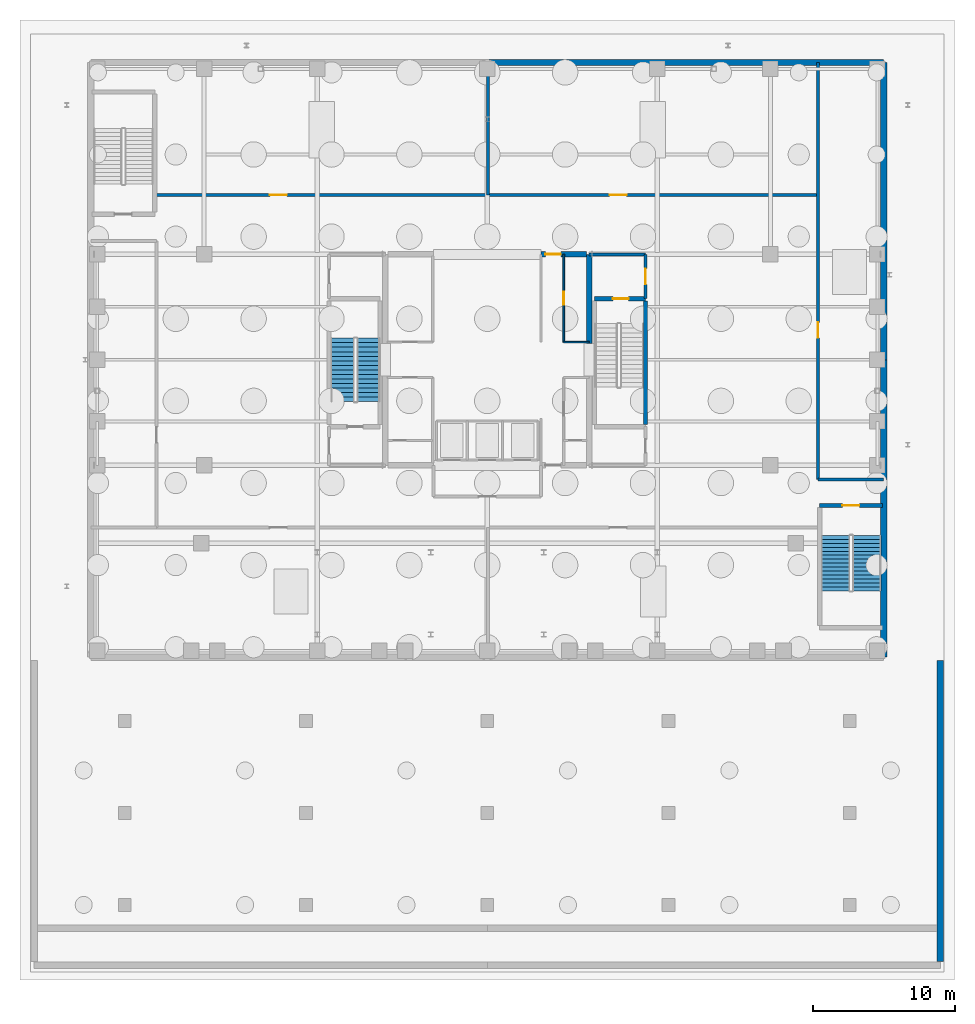
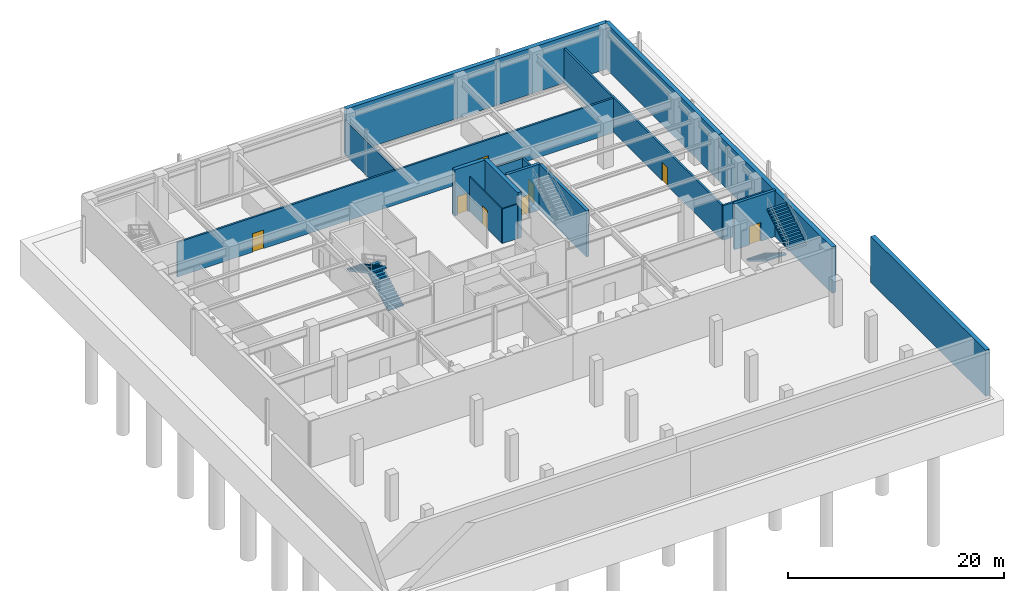
# One storey, part 13 of 18: 17 walls, 8 doors, 4 stair flights, 8 openings, 2 elements without a shape of their own.
"""IFC4 building model written with IfcOpenShell, lengths in metres."""

from ifc_helpers import new_model, si_unit, direction, frame, frame_2d, origin, place, context, subcontext, project, spatial, polyline, rectangle, outline, extrude, material, layer, layer_set, type_object, element, fill, aggregate, save


model = new_model("IFC4")

# Units and contexts
model_context = context("Model", 3, precision=1e-05, world=origin(), true_north=direction((0.0, 1.0)))
body_context = subcontext(model_context, "Body", "Model", "MODEL_VIEW")
ifc_project = project(units=[si_unit("LENGTHUNIT", "METRE"), si_unit("AREAUNIT", "SQUARE_METRE"), si_unit("VOLUMEUNIT", "CUBIC_METRE"), si_unit("PLANEANGLEUNIT", "RADIAN"), si_unit("MASSUNIT", "GRAM", prefix="KILO")], contexts=[model_context])

# Site, building, storey
site_placement = place(None, origin())
site = spatial("IfcSite", under=ifc_project, at=site_placement, CompositionType="ELEMENT")
building_placement = place(site_placement, origin())
building = spatial("IfcBuilding", under=site, at=building_placement, Name="Veldorina Hangang Commons", CompositionType="ELEMENT")
storey_placement = place(building_placement, frame((0.0, 0.0, -10.39990234375)))
storey = spatial("IfcBuildingStorey", under=building, at=storey_placement, Name="B02", CompositionType="ELEMENT", Elevation=-10.39990234375)

# Wall
ifc_material_1 = material(Name="Concrete C70/85", Category="concrete")
ifc_layer_1 = layer(ifc_material_1, 0.39990234375)
ifc_layer_set_1 = layer_set([ifc_layer_1], Name="Concrete C70/85")
wall_type_1 = type_object("IfcWallType", Name="CW-RC400-C70", PredefinedType="SHEAR", material=ifc_layer_set_1)
wall_1_placement = place(storey_placement, frame((39.199951171875, 25.14990234375, 0.0), z_axis=(0.0, 0.0, 1.0), x_axis=(0.0, 1.0, 0.0)))
element("IfcWall", 1, at=wall_1_placement, inside=storey, type_object=wall_type_1, Name="B02 E north core shear wall", PredefinedType="SHEAR", context=body_context, shape_type="SweptSolid", body=[
    extrude(rectangle(XDim=6.300048828125, YDim=0.39990234375, at=frame_2d((3.14990234375, 0.0))), origin(), (0.0, 0.0, 1.0), 5.199951171875),
])

# Wall, opening, door
wall_2_placement = place(storey_placement, frame((35.800048828125, 31.449951171875, 0.0), z_axis=(0.0, 0.0, 1.0), x_axis=(1.0, 0.0, 0.0)))
wall_2 = element("IfcWall", 2, at=wall_2_placement, inside=storey, type_object=wall_type_1, Name="B02 north-east core shear wall", PredefinedType="SHEAR", context=body_context, shape_type="SweptSolid", body=[
    extrude(rectangle(XDim=3.199951171875, YDim=0.39990234375, at=frame_2d((1.60009765625, 0.0))), origin(), (0.0, 0.0, 1.0), 5.199951171875),
])
opening_1_placement = place(wall_2_placement, frame((0.300048828125, 0.0, 0.0)))
opening_1 = element("IfcOpeningElement", 3, at=opening_1_placement, cuts=wall_2, Name="Opening D-08", PredefinedType="OPENING", context=body_context, shape_type="SweptSolid", body=[
    extrude(rectangle(XDim=1.10009765625, YDim=2.10009765625, at=frame_2d((0.550048828125, 1.050048828125))), frame((0.0, 0.2099609375, 0.0), z_axis=(0.0, -1.0, 0.0), x_axis=(1.0, 0.0, 0.0)), (0.0, 0.0, 1.0), 0.419921875),
])
ifc_material_2 = material(Name="Steel Fire-Rated Smoke Seal", Category="steel")
door_type_1 = type_object("IfcDoorType", Name="DR-FIRE-1100", OperationType="SINGLE_SWING_RIGHT", PredefinedType="DOOR", material=ifc_material_2)
door_1_placement = place(opening_1_placement, origin())
door_1 = element("IfcDoor", 4, at=door_1_placement, inside=storey, type_object=door_type_1, Name="B02 central lift lobby north corridor door", OperationType="SINGLE_SWING_LEFT", OverallHeight=2.10009765625, OverallWidth=1.10009765625, PredefinedType="DOOR", context=body_context, shape_type="SweptSolid", body=[
    extrude(rectangle(XDim=1.10009765625, YDim=2.10009765625, at=frame_2d((0.550048828125, 1.050048828125))), frame((0.0, 0.02490234375, 0.0), z_axis=(0.0, -1.0, 0.0), x_axis=(1.0, 0.0, 0.0)), (0.0, 0.0, 1.0), 0.050048828125),
])
fill(opening_1, door_1)

# Walls
ifc_material_3 = material(Name="Concrete C45/55", Category="concrete")
ifc_layer_2 = layer(ifc_material_3, 0.449951171875)
ifc_layer_set_2 = layer_set([ifc_layer_2], Name="Concrete C45/55")
wall_type_2 = type_object("IfcWallType", Name="RW-BASE-450", PredefinedType="USERDEFINED", material=ifc_layer_set_2)
for number, where, z_axis, x_axis, name in (
    (5, (60.0, 3.0, 0.0), (0.0, 0.0, 1.0), (0.0, 1.0, 0.0), "B02 perimeter retaining wall E1"),
    (6, (60.0, 24.0, 0.0), (0.0, 0.0, 1.0), (0.0, 1.0, 0.0), "B02 perimeter retaining wall E2"),
):
    element("IfcWall", number, at=place(storey_placement, frame(where, z_axis=z_axis, x_axis=x_axis)), inside=storey, type_object=wall_type_2, Name=name, ObjectType="RETAININGWALL", PredefinedType="USERDEFINED", context=body_context, shape_type="SweptSolid", body=[
        extrude(rectangle(XDim=21.0, YDim=0.449951171875, at=frame_2d((10.5, 0.0))), origin(), (0.0, 0.0, 1.0), 5.199951171875),
    ])
wall_3_placement = place(storey_placement, frame((60.0, 45.0, 0.0), z_axis=(0.0, 0.0, 1.0), x_axis=(-1.0, 0.0, 0.0)))
element("IfcWall", 7, at=wall_3_placement, inside=storey, type_object=wall_type_2, Name="B02 perimeter retaining wall N1", ObjectType="RETAININGWALL", PredefinedType="USERDEFINED", context=body_context, shape_type="SweptSolid", body=[
    extrude(rectangle(XDim=28.0, YDim=0.449951171875, at=frame_2d((14.0, 0.0))), origin(), (0.0, 0.0, 1.0), 5.199951171875),
])
wall_4_placement = place(storey_placement, frame((64.0, -18.5, 0.0), z_axis=(0.0, 0.0, 1.0), x_axis=(0.0, 1.0, 0.0)))
element("IfcWall", 8, at=wall_4_placement, inside=storey, type_object=wall_type_2, Name="B02 waterfront quay retaining wall QE", ObjectType="RETAININGWALL", PredefinedType="USERDEFINED", context=body_context, shape_type="SweptSolid", body=[
    extrude(rectangle(XDim=21.25, YDim=0.449951171875, at=frame_2d((10.625, 0.0))), origin(), (0.0, 0.0, 1.0), 5.199951171875),
])
ifc_material_4 = material(Name="Concrete C50/60", Category="concrete")
ifc_layer_3 = layer(ifc_material_4, 0.300048828125)
ifc_layer_set_3 = layer_set([ifc_layer_3], Name="Concrete C50/60")
wall_type_3 = type_object("IfcWallType", Name="SW-STAIR-300", PredefinedType="SHEAR", material=ifc_layer_set_3)
wall_5_placement = place(storey_placement, frame((43.179931640625, 19.429931640625, 0.0), z_axis=(0.0, 0.0, 1.0), x_axis=(0.0, 1.0, 0.0)))
element("IfcWall", 9, at=wall_5_placement, inside=storey, type_object=wall_type_3, Name="B02 ST2 outer stair shear wall", PredefinedType="SHEAR", context=body_context, shape_type="SweptSolid", body=[
    extrude(rectangle(XDim=8.739990234375, YDim=0.300048828125, at=frame_2d((4.3701171875, 0.0))), origin(), (0.0, 0.0, 1.0), 5.199951171875),
])

# Wall, opening, door
wall_6_placement = place(storey_placement, frame((39.580078125, 28.320068359375, 0.0), z_axis=(0.0, 0.0, 1.0), x_axis=(1.0, 0.0, 0.0)))
wall_6 = element("IfcWall", 10, at=wall_6_placement, inside=storey, type_object=wall_type_3, Name="B02 ST2 north stair shear wall", PredefinedType="SHEAR", context=body_context, shape_type="SweptSolid", body=[
    extrude(rectangle(XDim=3.599853515625, YDim=0.300048828125, at=frame_2d((1.7998046875, 0.0))), origin(), (0.0, 0.0, 1.0), 5.199951171875),
])
opening_2_placement = place(wall_6_placement, frame((1.300048828125, 0.0, 0.0)))
opening_2 = element("IfcOpeningElement", 11, at=opening_2_placement, cuts=wall_6, Name="Opening D-08", PredefinedType="OPENING", context=body_context, shape_type="SweptSolid", body=[
    extrude(rectangle(XDim=1.10009765625, YDim=2.10009765625, at=frame_2d((0.550048828125, 1.050048828125))), frame((0.0, 0.16015625, 0.0), z_axis=(0.0, -1.0, 0.0), x_axis=(1.0, 0.0, 0.0)), (0.0, 0.0, 1.0), 0.320068359375),
])
door_2_placement = place(opening_2_placement, origin())
door_2 = element("IfcDoor", 12, at=door_2_placement, inside=storey, type_object=door_type_1, Name="B02 Special Escape Stair ST-2 door", OperationType="SINGLE_SWING_RIGHT", OverallHeight=2.10009765625, OverallWidth=1.10009765625, PredefinedType="DOOR", context=body_context, shape_type="SweptSolid", body=[
    extrude(rectangle(XDim=1.10009765625, YDim=2.10009765625, at=frame_2d((0.550048828125, 1.050048828125))), frame((0.0, 0.02490234375, 0.0), z_axis=(0.0, -1.0, 0.0), x_axis=(1.0, 0.0, 0.0)), (0.0, 0.0, 1.0), 0.050048828125),
])
fill(opening_2, door_2)

wall_7_placement = place(storey_placement, frame((55.47998046875, 13.719970703125, 0.0), z_axis=(0.0, 0.0, 1.0), x_axis=(1.0, 0.0, 0.0)))
wall_7 = element("IfcWall", 13, at=wall_7_placement, inside=storey, type_object=wall_type_3, Name="B02 STP2 N stair shear wall", PredefinedType="SHEAR", context=body_context, shape_type="SweptSolid", body=[
    extrude(rectangle(XDim=4.43994140625, YDim=0.300048828125, at=frame_2d((2.219970703125, 0.0))), origin(), (0.0, 0.0, 1.0), 5.199951171875),
])
opening_3_placement = place(wall_7_placement, frame((1.60009765625, 0.0, 0.0)))
opening_3 = element("IfcOpeningElement", 14, at=opening_3_placement, cuts=wall_7, Name="Opening D-09", PredefinedType="OPENING", context=body_context, shape_type="SweptSolid", body=[
    extrude(rectangle(XDim=1.199951171875, YDim=2.10009765625, at=frame_2d((0.60009765625, 1.050048828125))), frame((0.0, 0.16015625, 0.0), z_axis=(0.0, -1.0, 0.0), x_axis=(1.0, 0.0, 0.0)), (0.0, 0.0, 1.0), 0.320068359375),
])
ifc_material_5 = material(Name="Steel Fire-Rated Corridor Door", Category="steel")
door_type_2 = type_object("IfcDoorType", Name="DR-FIRE-1200", OperationType="SINGLE_SWING_LEFT", PredefinedType="DOOR", material=ifc_material_5)
door_3_placement = place(opening_3_placement, origin())
door_3 = element("IfcDoor", 15, at=door_3_placement, inside=storey, type_object=door_type_2, Name="B02 Podium Stair ST-P2 door", OperationType="SINGLE_SWING_RIGHT", OverallHeight=2.10009765625, OverallWidth=1.199951171875, PredefinedType="DOOR", context=body_context, shape_type="SweptSolid", body=[
    extrude(rectangle(XDim=1.199951171875, YDim=2.10009765625, at=frame_2d((0.60009765625, 1.050048828125))), frame((0.0, 0.02490234375, 0.0), z_axis=(0.0, -1.0, 0.0), x_axis=(1.0, 0.0, 0.0)), (0.0, 0.0, 1.0), 0.050048828125),
])
fill(opening_3, door_3)

ifc_material_6 = material(Name="Concrete Blockwork Fire Wall C30/37", Category="masonry")
ifc_layer_4 = layer(ifc_material_6, 0.199951171875)
ifc_layer_set_4 = layer_set([ifc_layer_4], Name="Concrete Blockwork Fire Wall C30/37")
wall_type_4 = type_object("IfcWallType", Name="WL-FIRE-200", PredefinedType="SOLIDWALL", material=ifc_layer_set_4)
wall_8_placement = place(storey_placement, frame((43.179931640625, 28.320068359375, 0.0), z_axis=(0.0, 0.0, 1.0), x_axis=(0.0, 1.0, 0.0)))
wall_8 = element("IfcWall", 16, at=wall_8_placement, inside=storey, type_object=wall_type_4, Name="B02 East vestibule outer wall 003", PredefinedType="SOLIDWALL", context=body_context, shape_type="SweptSolid", body=[
    extrude(rectangle(XDim=3.1298828125, YDim=0.199951171875, at=frame_2d((1.56494140625, 0.0))), origin(), (0.0, 0.0, 1.0), 3.89990234375),
])
opening_4_placement = place(wall_8_placement, frame((1.014892578125, 0.0, 0.0)))
opening_4 = element("IfcOpeningElement", 17, at=opening_4_placement, cuts=wall_8, Name="Opening D-08", PredefinedType="OPENING", context=body_context, shape_type="SweptSolid", body=[
    extrude(rectangle(XDim=1.10009765625, YDim=2.10009765625, at=frame_2d((0.550048828125, 1.050048828125))), frame((0.0, 0.10986328125, 0.0), z_axis=(0.0, -1.0, 0.0), x_axis=(1.0, 0.0, 0.0)), (0.0, 0.0, 1.0), 0.219970703125),
])
door_4_placement = place(opening_4_placement, origin())
door_4 = element("IfcDoor", 18, at=door_4_placement, inside=storey, type_object=door_type_1, Name="B02 East vestibule east door 002", OperationType="SINGLE_SWING_RIGHT", OverallHeight=2.10009765625, OverallWidth=1.10009765625, PredefinedType="DOOR", context=body_context, shape_type="SweptSolid", body=[
    extrude(rectangle(XDim=1.10009765625, YDim=2.10009765625, at=frame_2d((0.550048828125, 1.050048828125))), frame((0.0, 0.02490234375, 0.0), z_axis=(0.0, -1.0, 0.0), x_axis=(1.0, 0.0, 0.0)), (0.0, 0.0, 1.0), 0.050048828125),
])
fill(opening_4, door_4)

# Wall
wall_9_placement = place(storey_placement, frame((39.199951171875, 31.449951171875, 0.0), z_axis=(0.0, 0.0, 1.0), x_axis=(1.0, 0.0, 0.0)))
element("IfcWall", 19, at=wall_9_placement, inside=storey, type_object=wall_type_4, Name="B02 East vestibule north wall 004", PredefinedType="SOLIDWALL", context=body_context, shape_type="SweptSolid", body=[
    extrude(rectangle(XDim=3.97998046875, YDim=0.199951171875, at=frame_2d((1.989990234375, 0.0))), origin(), (0.0, 0.0, 1.0), 3.89990234375),
])

# Wall, openings, doors
wall_10_placement = place(storey_placement, frame((8.64990234375, 35.64990234375, 0.0), z_axis=(0.0, 0.0, 1.0), x_axis=(1.0, 0.0, 0.0)))
wall_10 = element("IfcWall", 20, at=wall_10_placement, inside=storey, type_object=wall_type_4, Name="B02 B02 north corridor wall 031", PredefinedType="SOLIDWALL", context=body_context, shape_type="SweptSolid", body=[
    extrude(rectangle(XDim=46.7001953125, YDim=0.199951171875, at=frame_2d((23.35009765625, 0.0))), origin(), (0.0, 0.0, 1.0), 3.89990234375),
])
opening_5_placement = place(wall_10_placement, frame((8.0, 0.0, 0.0)))
opening_5 = element("IfcOpeningElement", 21, at=opening_5_placement, cuts=wall_10, Name="Opening D-10", PredefinedType="OPENING", context=body_context, shape_type="SweptSolid", body=[
    extrude(rectangle(XDim=1.199951171875, YDim=2.10009765625, at=frame_2d((0.60009765625, 1.050048828125))), frame((0.0, 0.10986328125, 0.0), z_axis=(0.0, -1.0, 0.0), x_axis=(1.0, 0.0, 0.0)), (0.0, 0.0, 1.0), 0.219970703125),
])
opening_6_placement = place(wall_10_placement, frame((32.0, 0.0, 0.0)))
opening_6 = element("IfcOpeningElement", 22, at=opening_6_placement, cuts=wall_10, Name="Opening D-10", PredefinedType="OPENING", context=body_context, shape_type="SweptSolid", body=[
    extrude(rectangle(XDim=1.199951171875, YDim=2.10009765625, at=frame_2d((0.60009765625, 1.050048828125))), frame((0.0, 0.10986328125, 0.0), z_axis=(0.0, -1.0, 0.0), x_axis=(1.0, 0.0, 0.0)), (0.0, 0.0, 1.0), 0.219970703125),
])
ifc_material_7 = material(Name="Steel Heavy-Duty Acoustic Plant", Category="steel")
door_type_3 = type_object("IfcDoorType", Name="DR-PLANT-1200", OperationType="SINGLE_SWING_RIGHT", PredefinedType="DOOR", material=ifc_material_7)
door_5_placement = place(opening_5_placement, origin())
door_5 = element("IfcDoor", 23, at=door_5_placement, inside=storey, type_object=door_type_3, Name="B02 Substation door 015", OperationType="SINGLE_SWING_LEFT", OverallHeight=2.10009765625, OverallWidth=1.199951171875, PredefinedType="DOOR", context=body_context, shape_type="SweptSolid", body=[
    extrude(rectangle(XDim=1.199951171875, YDim=2.10009765625, at=frame_2d((0.60009765625, 1.050048828125))), frame((0.0, 0.02490234375, 0.0), z_axis=(0.0, -1.0, 0.0), x_axis=(1.0, 0.0, 0.0)), (0.0, 0.0, 1.0), 0.050048828125),
])
fill(opening_5, door_5)
door_6_placement = place(opening_6_placement, origin())
door_6 = element("IfcDoor", 24, at=door_6_placement, inside=storey, type_object=door_type_3, Name="B02 Generator hall door 016", OperationType="SINGLE_SWING_RIGHT", OverallHeight=2.10009765625, OverallWidth=1.199951171875, PredefinedType="DOOR", context=body_context, shape_type="SweptSolid", body=[
    extrude(rectangle(XDim=1.199951171875, YDim=2.10009765625, at=frame_2d((0.60009765625, 1.050048828125))), frame((0.0, 0.02490234375, 0.0), z_axis=(0.0, -1.0, 0.0), x_axis=(1.0, 0.0, 0.0)), (0.0, 0.0, 1.0), 0.050048828125),
])
fill(opening_6, door_6)

# Wall, opening, door
wall_11_placement = place(storey_placement, frame((55.35009765625, 15.550048828125, 0.0), z_axis=(0.0, 0.0, 1.0), x_axis=(0.0, 1.0, 0.0)))
wall_11 = element("IfcWall", 25, at=wall_11_placement, inside=storey, type_object=wall_type_4, Name="B02 B02 east corridor wall 034", PredefinedType="SOLIDWALL", context=body_context, shape_type="SweptSolid", body=[
    extrude(rectangle(XDim=29.449951171875, YDim=0.199951171875, at=frame_2d((14.72509765625, 0.0))), origin(), (0.0, 0.0, 1.0), 3.89990234375),
])
opening_7_placement = place(wall_11_placement, frame((10.0, 0.0, 0.0)))
opening_7 = element("IfcOpeningElement", 26, at=opening_7_placement, cuts=wall_11, Name="Opening D-08", PredefinedType="OPENING", context=body_context, shape_type="SweptSolid", body=[
    extrude(rectangle(XDim=1.10009765625, YDim=2.10009765625, at=frame_2d((0.550048828125, 1.050048828125))), frame((0.0, 0.10986328125, 0.0), z_axis=(0.0, -1.0, 0.0), x_axis=(1.0, 0.0, 0.0)), (0.0, 0.0, 1.0), 0.219970703125),
])
door_7_placement = place(opening_7_placement, origin())
door_7 = element("IfcDoor", 27, at=door_7_placement, inside=storey, type_object=door_type_1, Name="B02 Sprinkler pump room door 020", OperationType="SINGLE_SWING_RIGHT", OverallHeight=2.10009765625, OverallWidth=1.10009765625, PredefinedType="DOOR", context=body_context, shape_type="SweptSolid", body=[
    extrude(rectangle(XDim=1.10009765625, YDim=2.10009765625, at=frame_2d((0.550048828125, 1.050048828125))), frame((0.0, 0.02490234375, 0.0), z_axis=(0.0, -1.0, 0.0), x_axis=(1.0, 0.0, 0.0)), (0.0, 0.0, 1.0), 0.050048828125),
])
fill(opening_7, door_7)

# Walls
wall_12_placement = place(storey_placement, frame((32.050048828125, 35.64990234375, 0.0), z_axis=(0.0, 0.0, 1.0), x_axis=(0.0, 1.0, 0.0)))
element("IfcWall", 28, at=wall_12_placement, inside=storey, type_object=wall_type_4, Name="B02 B02 north split 036", PredefinedType="SOLIDWALL", context=body_context, shape_type="SweptSolid", body=[
    extrude(rectangle(XDim=9.35009765625, YDim=0.199951171875, at=frame_2d((4.675048828125, 0.0))), origin(), (0.0, 0.0, 1.0), 3.89990234375),
])
wall_13_placement = place(storey_placement, frame((55.35009765625, 15.550048828125, 0.0), z_axis=(0.0, 0.0, 1.0), x_axis=(1.0, 0.0, 0.0)))
element("IfcWall", 29, at=wall_13_placement, inside=storey, type_object=wall_type_4, Name="B02 B02 pump room south wall 039", PredefinedType="SOLIDWALL", context=body_context, shape_type="SweptSolid", body=[
    extrude(rectangle(XDim=4.64990234375, YDim=0.199951171875, at=frame_2d((2.324951171875, 0.0))), origin(), (0.0, 0.0, 1.0), 3.89990234375),
])

# Wall, opening, door
ifc_material_8 = material(Name="Gypsum Acoustic Stud Partition", Category="gypsum")
ifc_layer_5 = layer(ifc_material_8, 0.1201171875)
ifc_layer_set_5 = layer_set([ifc_layer_5], Name="Gypsum Acoustic Stud Partition")
wall_type_5 = type_object("IfcWallType", Name="WL-PART-120", PredefinedType="PARTITIONING", material=ifc_layer_set_5)
wall_14_placement = place(storey_placement, frame((37.39990234375, 25.25, 0.0), z_axis=(0.0, 0.0, 1.0), x_axis=(0.0, 1.0, 0.0)))
wall_14 = element("IfcWall", 30, at=wall_14_placement, inside=storey, type_object=wall_type_5, Name="B02 NE strip lobby wall 027", PredefinedType="PARTITIONING", context=body_context, shape_type="SweptSolid", body=[
    extrude(rectangle(XDim=6.199951171875, YDim=0.1201171875, at=frame_2d((3.10009765625, 0.0))), origin(), (0.0, 0.0, 1.0), 3.89990234375),
])
opening_8_placement = place(wall_14_placement, frame((2.625, 0.0, 0.0)))
opening_8 = element("IfcOpeningElement", 31, at=opening_8_placement, cuts=wall_14, Name="Opening D-02", PredefinedType="OPENING", context=body_context, shape_type="SweptSolid", body=[
    extrude(rectangle(XDim=0.949951171875, YDim=2.10009765625, at=frame_2d((0.47509765625, 1.050048828125))), frame((0.0, 0.070068359375, 0.0), z_axis=(0.0, -1.0, 0.0), x_axis=(1.0, 0.0, 0.0)), (0.0, 0.0, 1.0), 0.14013671875),
])
ifc_material_9 = material(Name="Timber Solid Core Acoustic", Category="wood")
door_type_4 = type_object("IfcDoorType", Name="DR-INT-950", OperationType="SINGLE_SWING_LEFT", PredefinedType="DOOR", material=ifc_material_9)
door_8_placement = place(opening_8_placement, origin())
door_8 = element("IfcDoor", 32, at=door_8_placement, inside=storey, type_object=door_type_4, Name="B02 Comms room door 013", OperationType="SINGLE_SWING_LEFT", OverallHeight=2.10009765625, OverallWidth=0.949951171875, PredefinedType="DOOR", context=body_context, shape_type="SweptSolid", body=[
    extrude(rectangle(XDim=0.949951171875, YDim=2.10009765625, at=frame_2d((0.47509765625, 1.050048828125))), frame((0.0, 0.02490234375, 0.0), z_axis=(0.0, -1.0, 0.0), x_axis=(1.0, 0.0, 0.0)), (0.0, 0.0, 1.0), 0.050048828125),
])
fill(opening_8, door_8)

# Wall
wall_15_placement = place(storey_placement, frame((37.39990234375, 25.25, 0.0), z_axis=(0.0, 0.0, 1.0), x_axis=(1.0, 0.0, 0.0)))
element("IfcWall", 33, at=wall_15_placement, inside=storey, type_object=wall_type_5, Name="B02 NE strip south return wall 028", PredefinedType="PARTITIONING", context=body_context, shape_type="SweptSolid", body=[
    extrude(rectangle(XDim=1.800048828125, YDim=0.1201171875, at=frame_2d((0.89990234375, 0.0))), origin(), (0.0, 0.0, 1.0), 3.89990234375),
])

# Stair, stair flights
ifc_material_10 = material(Name="Concrete C40/50", Category="concrete")
stair_type_1 = type_object("IfcStairType", Name="STR-DOG-1650-30R", PredefinedType="HALF_TURN_STAIR", material=ifc_material_10)
stair_1_placement = place(storey_placement, origin())
stair_1 = element("IfcStair", 34, at=stair_1_placement, inside=storey, type_object=stair_type_1, Name="B02 Exit stair ST-1", PredefinedType="HALF_TURN_STAIR")
stair_flight_type_1 = type_object("IfcStairFlightType", Name="SFL-STR-1650-30R", PredefinedType="STRAIGHT", material=ifc_material_10)
stair_flight_1_placement = place(storey_placement, frame((23.625, 21.050048828125, 0.0), z_axis=(0.0, 0.0, 1.0), x_axis=(0.0, 1.0, 0.0)))
stair_flight_1 = element("IfcStairFlight", 35, at=stair_flight_1_placement, type_object=stair_flight_type_1, Name="ST-1 flight 1", NumberOfRisers=15, NumberOfTreads=14, PredefinedType="STRAIGHT", RiserHeight=0.173333333, TreadLength=0.32, context=body_context, shape_type="SweptSolid", body=[
    extrude(outline(polyline([(0.0, 0.0), (0.0, 0.17333984375), (0.320068359375, 0.17333984375), (0.320068359375, 0.3466796875), (0.639892578125, 0.3466796875), (0.639892578125, 0.52001953125), (0.9599609375, 0.52001953125), (0.9599609375, 0.693359375), (1.280029296875, 0.693359375), (1.280029296875, 0.86669921875), (1.60009765625, 0.86669921875), (1.60009765625, 1.0400390625), (1.919921875, 1.0400390625), (1.919921875, 1.21337890625), (2.239990234375, 1.21337890625), (2.239990234375, 1.38671875), (2.56005859375, 1.38671875), (2.56005859375, 1.56005859375), (2.8798828125, 1.56005859375), (2.8798828125, 1.7333984375), (3.199951171875, 1.7333984375), (3.199951171875, 1.90673828125), (3.52001953125, 1.90673828125), (3.52001953125, 2.080078125), (3.840087890625, 2.080078125), (3.840087890625, 2.25341796875), (4.159912109375, 2.25341796875), (4.159912109375, 2.4267578125), (4.47998046875, 2.4267578125), (4.47998046875, 2.60009765625), (4.47998046875, 2.256103515625), (0.314697265625, 0.0), (0.0, 0.0)])), frame((0.0, 0.824951171875, 0.0), z_axis=(0.0, -1.0, 0.0), x_axis=(1.0, 0.0, 0.0)), (0.0, 0.0, 1.0), 1.64990234375),
])
stair_flight_2_placement = place(storey_placement, frame((21.77490234375, 25.530029296875, 2.599853515625), z_axis=(0.0, 0.0, 1.0), x_axis=(0.0, -1.0, 0.0)))
stair_flight_2 = element("IfcStairFlight", 36, at=stair_flight_2_placement, type_object=stair_flight_type_1, Name="ST-1 flight 2", NumberOfRisers=15, NumberOfTreads=14, PredefinedType="STRAIGHT", RiserHeight=0.173333333, TreadLength=0.32, context=body_context, shape_type="SweptSolid", body=[
    extrude(outline(polyline([(0.0, 0.0), (0.0, 0.17333984375), (0.320068359375, 0.17333984375), (0.320068359375, 0.3466796875), (0.639892578125, 0.3466796875), (0.639892578125, 0.52001953125), (0.9599609375, 0.52001953125), (0.9599609375, 0.693359375), (1.280029296875, 0.693359375), (1.280029296875, 0.86669921875), (1.60009765625, 0.86669921875), (1.60009765625, 1.0400390625), (1.919921875, 1.0400390625), (1.919921875, 1.21337890625), (2.239990234375, 1.21337890625), (2.239990234375, 1.38671875), (2.56005859375, 1.38671875), (2.56005859375, 1.56005859375), (2.8798828125, 1.56005859375), (2.8798828125, 1.7333984375), (3.199951171875, 1.7333984375), (3.199951171875, 1.90673828125), (3.52001953125, 1.90673828125), (3.52001953125, 2.080078125), (3.840087890625, 2.080078125), (3.840087890625, 2.25341796875), (4.159912109375, 2.25341796875), (4.159912109375, 2.4267578125), (4.47998046875, 2.4267578125), (4.47998046875, 2.60009765625), (4.47998046875, 2.256103515625), (0.314697265625, 0.0), (0.0, 0.0)])), frame((0.0, 0.824951171875, 0.0), z_axis=(0.0, -1.0, 0.0), x_axis=(1.0, 0.0, 0.0)), (0.0, 0.0, 1.0), 1.64990234375),
])
aggregate(stair_1, [stair_flight_1, stair_flight_2])

stair_type_2 = type_object("IfcStairType", Name="STR-DOG-2000-30R", PredefinedType="HALF_TURN_STAIR", material=ifc_material_10)
stair_2_placement = place(storey_placement, origin())
stair_2 = element("IfcStair", 37, at=stair_2_placement, inside=storey, type_object=stair_type_2, Name="B02 Exit stair ST-P2", PredefinedType="HALF_TURN_STAIR")
stair_flight_type_2 = type_object("IfcStairFlightType", Name="SFL-STR-2000-30R", PredefinedType="STRAIGHT", material=ifc_material_10)
stair_flight_3_placement = place(storey_placement, frame((56.60009765625, 11.60009765625, 0.0), z_axis=(0.0, 0.0, 1.0), x_axis=(0.0, -1.0, 0.0)))
stair_flight_3 = element("IfcStairFlight", 38, at=stair_flight_3_placement, type_object=stair_flight_type_2, Name="ST-P2 flight 1", NumberOfRisers=15, NumberOfTreads=14, PredefinedType="STRAIGHT", RiserHeight=0.173333333, TreadLength=0.28, context=body_context, shape_type="SweptSolid", body=[
    extrude(outline(polyline([(0.0, 0.0), (0.0, 0.17333984375), (0.280029296875, 0.17333984375), (0.280029296875, 0.3466796875), (0.56005859375, 0.3466796875), (0.56005859375, 0.52001953125), (0.840087890625, 0.52001953125), (0.840087890625, 0.693359375), (1.1201171875, 0.693359375), (1.1201171875, 0.86669921875), (1.39990234375, 0.86669921875), (1.39990234375, 1.0400390625), (1.679931640625, 1.0400390625), (1.679931640625, 1.21337890625), (1.9599609375, 1.21337890625), (1.9599609375, 1.38671875), (2.239990234375, 1.38671875), (2.239990234375, 1.56005859375), (2.52001953125, 1.56005859375), (2.52001953125, 1.7333984375), (2.800048828125, 1.7333984375), (2.800048828125, 1.90673828125), (3.080078125, 1.90673828125), (3.080078125, 2.080078125), (3.360107421875, 2.080078125), (3.360107421875, 2.25341796875), (3.639892578125, 2.25341796875), (3.639892578125, 2.4267578125), (3.919921875, 2.4267578125), (3.919921875, 2.60009765625), (3.919921875, 2.250244140625), (0.284912109375, 0.0), (0.0, 0.0)])), frame((0.0, 1.0, 0.0), z_axis=(0.0, -1.0, 0.0), x_axis=(1.0, 0.0, 0.0)), (0.0, 0.0, 1.0), 2.0),
])
stair_flight_4_placement = place(storey_placement, frame((58.800048828125, 7.679931640625, 2.599853515625), z_axis=(0.0, 0.0, 1.0), x_axis=(0.0, 1.0, 0.0)))
stair_flight_4 = element("IfcStairFlight", 39, at=stair_flight_4_placement, type_object=stair_flight_type_2, Name="ST-P2 flight 2", NumberOfRisers=15, NumberOfTreads=14, PredefinedType="STRAIGHT", RiserHeight=0.173333333, TreadLength=0.28, context=body_context, shape_type="SweptSolid", body=[
    extrude(outline(polyline([(0.0, 0.0), (0.0, 0.17333984375), (0.280029296875, 0.17333984375), (0.280029296875, 0.3466796875), (0.56005859375, 0.3466796875), (0.56005859375, 0.52001953125), (0.840087890625, 0.52001953125), (0.840087890625, 0.693359375), (1.1201171875, 0.693359375), (1.1201171875, 0.86669921875), (1.39990234375, 0.86669921875), (1.39990234375, 1.0400390625), (1.679931640625, 1.0400390625), (1.679931640625, 1.21337890625), (1.9599609375, 1.21337890625), (1.9599609375, 1.38671875), (2.239990234375, 1.38671875), (2.239990234375, 1.56005859375), (2.52001953125, 1.56005859375), (2.52001953125, 1.7333984375), (2.800048828125, 1.7333984375), (2.800048828125, 1.90673828125), (3.080078125, 1.90673828125), (3.080078125, 2.080078125), (3.360107421875, 2.080078125), (3.360107421875, 2.25341796875), (3.639892578125, 2.25341796875), (3.639892578125, 2.4267578125), (3.919921875, 2.4267578125), (3.919921875, 2.60009765625), (3.919921875, 2.250244140625), (0.284912109375, 0.0), (0.0, 0.0)])), frame((0.0, 1.0, 0.0), z_axis=(0.0, -1.0, 0.0), x_axis=(1.0, 0.0, 0.0)), (0.0, 0.0, 1.0), 2.0),
])
aggregate(stair_2, [stair_flight_3, stair_flight_4])

save(model, "model.ifc")
